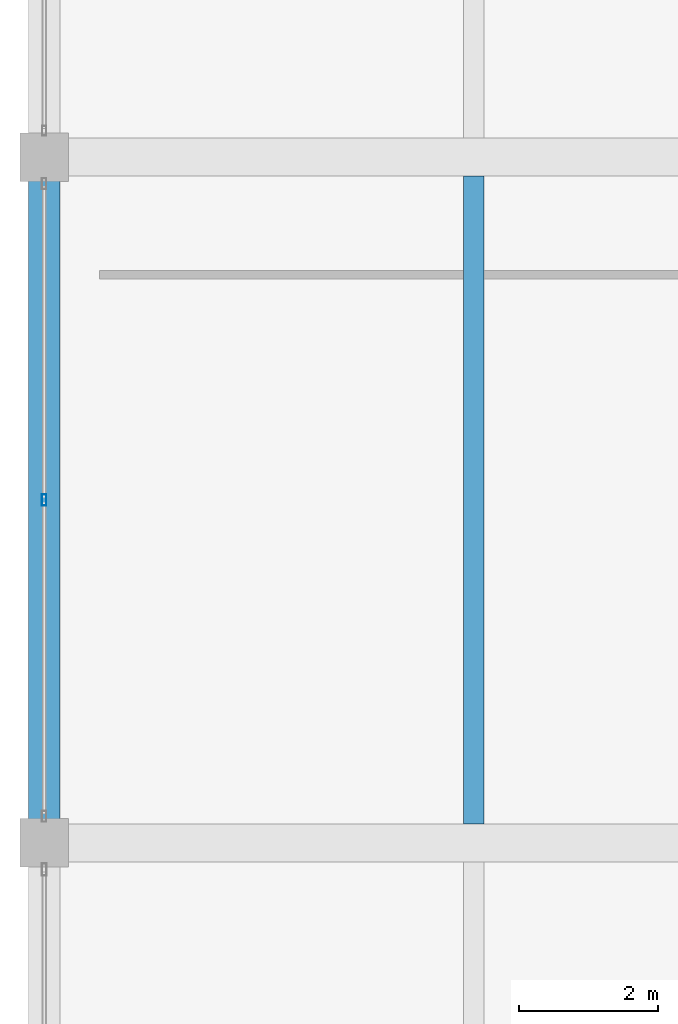
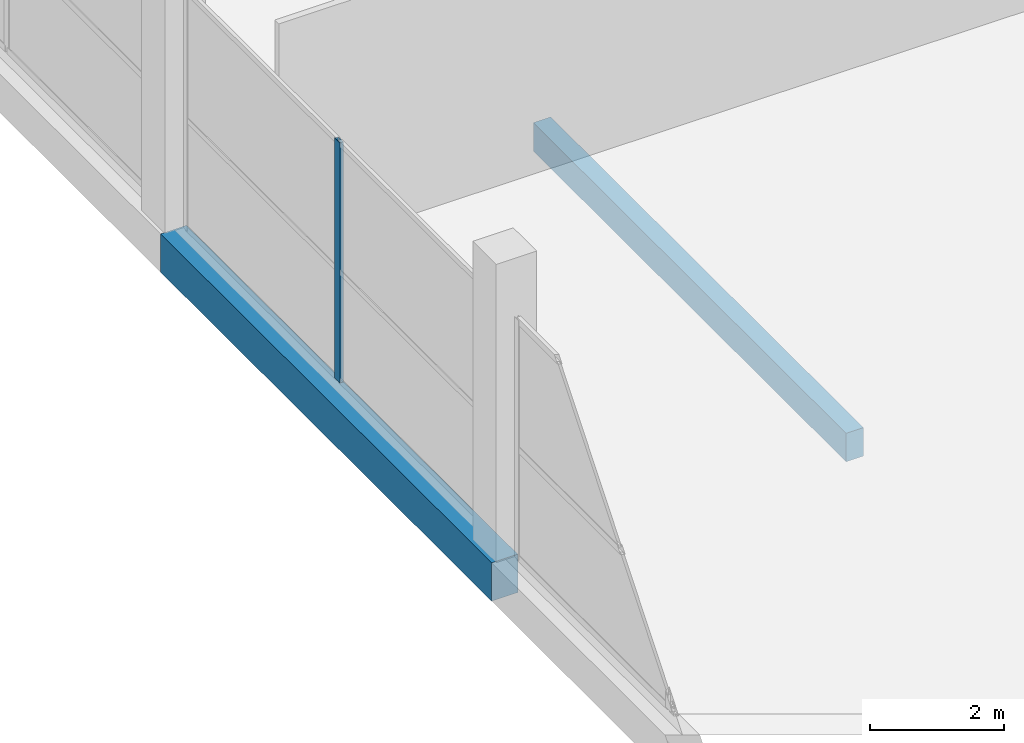
# One storey, part 23 of 72: 2 beams, 1 member, 1 element without a shape of its own.
"""IFC4 building model written with IfcOpenShell, lengths in metres."""

from ifc_helpers import new_model, si_unit, direction, frame, origin, origin_2d, place, context, subcontext, project, spatial, rectangle, hollow_rectangle, extrude, material, layer, layer_set, material_profile, profile_set, type_object, element, aggregate, save


model = new_model("IFC4")

# Units and contexts
model_context = context("Model", 3, precision=1e-05, world=origin(), true_north=direction((0.0, 1.0)))
body_context = subcontext(model_context, "Body", "Model", "MODEL_VIEW")
ifc_project = project(units=[si_unit("LENGTHUNIT", "METRE"), si_unit("AREAUNIT", "SQUARE_METRE"), si_unit("VOLUMEUNIT", "CUBIC_METRE"), si_unit("PLANEANGLEUNIT", "RADIAN"), si_unit("MASSUNIT", "GRAM", prefix="KILO")], contexts=[model_context])

# Site, building, storey
site_placement = place(None, origin())
site = spatial("IfcSite", under=ifc_project, at=site_placement, CompositionType="ELEMENT")
building_placement = place(site_placement, origin())
building = spatial("IfcBuilding", under=site, at=building_placement, Name="Sillaruma Civic Art Gallery", CompositionType="ELEMENT")
storey_placement = place(building_placement, frame((0.0, 0.0, 10.8798828125)))
storey = spatial("IfcBuildingStorey", under=building, at=storey_placement, Name="L02", CompositionType="ELEMENT", Elevation=10.8798828125)

# Beams
ifc_material_1 = material(Name="Concrete H35 (35 MPa)", Category="concrete")
ifc_material_profile_1 = material_profile(ifc_material_1, rectangle(XDim=0.300048828125, YDim=0.52001953125, at=origin_2d()), Name="RCB300x520")
ifc_profile_set_1 = profile_set([ifc_material_profile_1], Name="Concrete H35 (35 MPa)")
beam_type_1 = type_object("IfcBeamType", Name="BM-JOIST-RCB300x520", PredefinedType="JOIST", material=ifc_profile_set_1)
beam_1_placement = place(storey_placement, frame((6.199951171875, 99.27490234375, -0.519775390625), z_axis=(0.0, 1.0, 0.0), x_axis=(-1.0, 0.0, 0.0)))
element("IfcBeam", 1, at=beam_1_placement, inside=storey, type_object=beam_type_1, Name="Floor Joist JR-01 (L01:AB:11-12)", PredefinedType="JOIST", context=body_context, shape_type="SweptSolid", body=[
    extrude(rectangle(XDim=0.300048828125, YDim=0.52001953125, at=origin_2d()), origin(), (0.0, 0.0, 1.0), 9.35009765625),
])
ifc_material_profile_2 = material_profile(ifc_material_1, rectangle(XDim=0.449951171875, YDim=0.699951171875, at=origin_2d()), Name="RCB450x700")
ifc_profile_set_2 = profile_set([ifc_material_profile_2], Name="Concrete H35 (35 MPa)")
beam_type_2 = type_object("IfcBeamType", Name="BM-SPANDREL-RCB450x700", PredefinedType="SPANDREL", material=ifc_profile_set_2)
beam_2_placement = place(storey_placement, frame((0.0, 99.0, -0.60986328125), z_axis=(0.0, 1.0, 0.0), x_axis=(-1.0, 0.0, 0.0)))
element("IfcBeam", 2, at=beam_2_placement, inside=storey, type_object=beam_type_2, Name="Beam BS-03 (L01:A:11-12)", PredefinedType="SPANDREL", context=body_context, shape_type="SweptSolid", body=[
    extrude(rectangle(XDim=0.449951171875, YDim=0.699951171875, at=origin_2d()), origin(), (0.0, 0.0, 1.0), 9.89990234375),
])

# Curtain wall, member
ifc_material_2 = material(Name="Thermally Broken Extruded Aluminium 6063-T6", Category="aluminium")
ifc_layer = layer(ifc_material_2, 0.159912109375, Name="Thermally Broken Extruded Aluminium 6063-T6")
ifc_layer_set = layer_set([ifc_layer], Name="Thermally Broken Extruded Aluminium 6063-T6")
curtain_wall_type = type_object("IfcCurtainWallType", Name="CW-UNI-10", PredefinedType="NOTDEFINED", material=ifc_layer_set)
curtain_wall_placement = place(storey_placement, origin())
curtain_wall = element("IfcCurtainWall", 3, at=curtain_wall_placement, inside=storey, type_object=curtain_wall_type, Name="Unitised Curtain Wall CW-10 (CW-L02-WSTR-3)", PredefinedType="NOTDEFINED")
ifc_material_profile_3 = material_profile(ifc_material_2, hollow_rectangle(XDim=0.06494140625, YDim=0.159912109375, WallThickness=0.00390625, at=origin_2d()), Name="CWM65x160")
ifc_profile_set_3 = profile_set([ifc_material_profile_3], Name="Thermally Broken Extruded Aluminium 6063-T6")
member_type = type_object("IfcMemberType", Name="MEM-MUL-CWM65x160", PredefinedType="MULLION", material=ifc_profile_set_3)
member_placement = place(storey_placement, frame((0.0, 103.949951171875, 0.0), z_axis=(0.0, 0.0, 1.0), x_axis=(-1.0, 0.0, 0.0)))
member = element("IfcMember", 4, at=member_placement, type_object=member_type, Name="CW-10 mullion 2", PredefinedType="MULLION", context=body_context, shape_type="SweptSolid", body=[
    extrude(hollow_rectangle(XDim=0.06494140625, YDim=0.159912109375, WallThickness=0.00390625, at=origin_2d()), origin(), (0.0, 0.0, 1.0), 4.380126953125),
])
aggregate(curtain_wall, [member])

save(model, "model.ifc")
